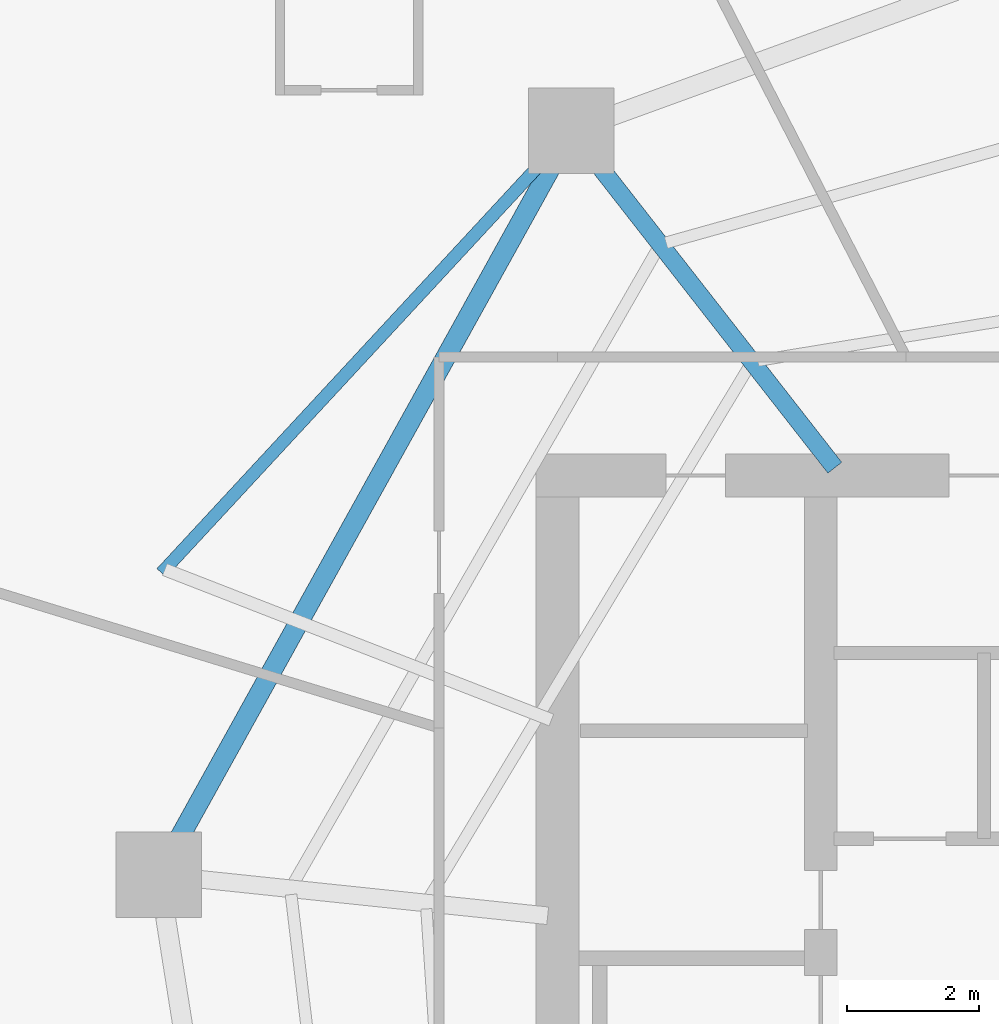
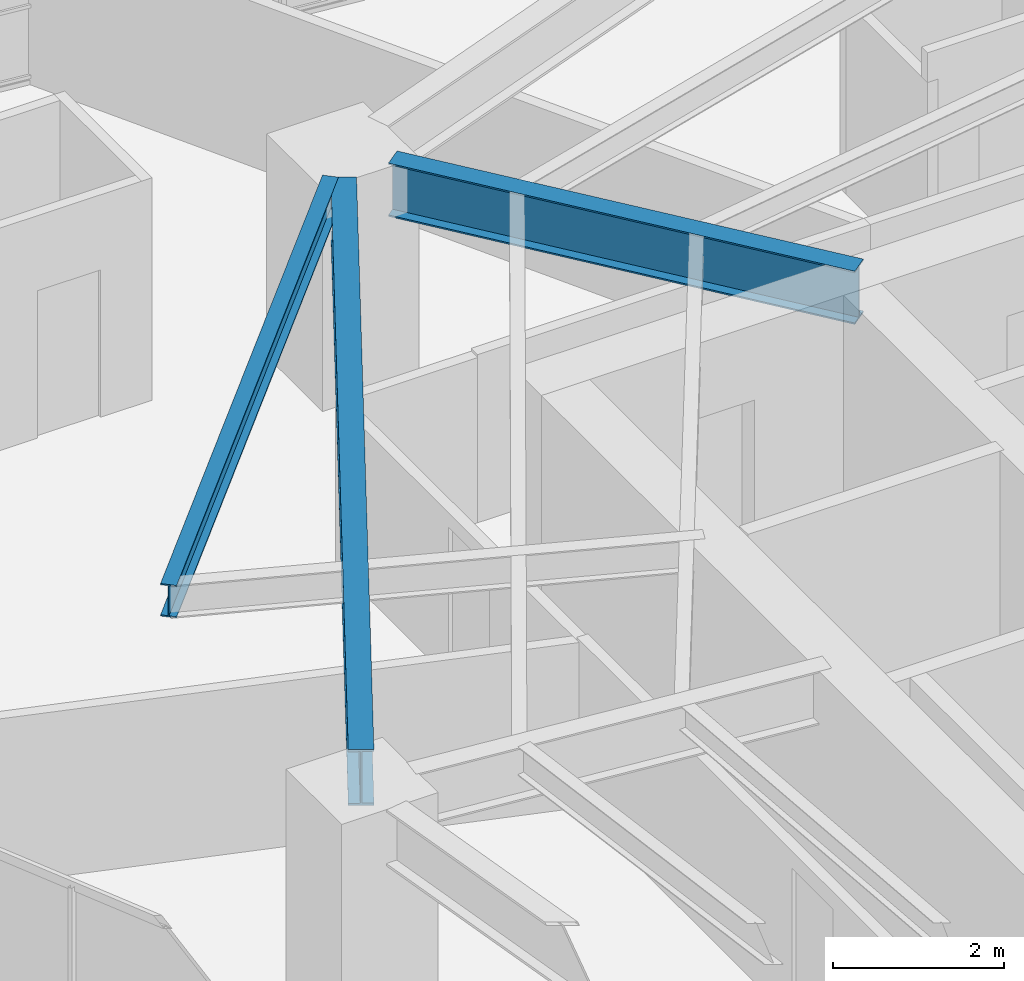
# One storey, part 15 of 28: 3 beams.
"""IFC4 building model written with IfcOpenShell, lengths in metres."""

from ifc_helpers import new_model, si_unit, direction, frame, origin, origin_2d, place, context, subcontext, project, spatial, i_section, extrude, material, material_profile, profile_set, type_object, element, save


model = new_model("IFC4")

# Units and contexts
model_context = context("Model", 3, precision=1e-05, world=origin(), true_north=direction((0.0, 1.0)))
body_context = subcontext(model_context, "Body", "Model", "MODEL_VIEW")
ifc_project = project(units=[si_unit("LENGTHUNIT", "METRE"), si_unit("AREAUNIT", "SQUARE_METRE"), si_unit("VOLUMEUNIT", "CUBIC_METRE"), si_unit("PLANEANGLEUNIT", "RADIAN"), si_unit("MASSUNIT", "GRAM", prefix="KILO")], contexts=[model_context])

# Site, building, storey
site_placement = place(None, origin())
site = spatial("IfcSite", under=ifc_project, at=site_placement, CompositionType="ELEMENT")
building_placement = place(site_placement, origin())
building = spatial("IfcBuilding", under=site, at=building_placement, Name="Qarnah Convention Tower", CompositionType="ELEMENT")
storey_placement = place(building_placement, frame((0.0, 0.0, 44.25)))
storey = spatial("IfcBuildingStorey", under=building, at=storey_placement, Name="L10", CompositionType="ELEMENT", Elevation=44.25)

# Beams
ifc_material = material(Name="Structural steel S355JR", Category="steel")
ifc_material_profile_1 = material_profile(ifc_material, i_section(OverallWidth=0.19189453125, OverallDepth=0.464111328125, WebThickness=0.010986328125, FlangeThickness=0.01806640625, at=origin_2d()), Name="W460X89")
ifc_profile_set_1 = profile_set([ifc_material_profile_1], Name="Structural steel S355JR")
beam_type_1 = type_object("IfcBeamType", Name="BM-CANT-W460A", PredefinedType="BEAM", material=ifc_profile_set_1)
beam_1_placement = place(storey_placement, frame((20.782958984375, 32.719970703125, 2.93798828125), z_axis=(0.679611332191, 0.733572380313, 0.0), x_axis=(-0.733572380313, 0.679611332191, 0.0)))
element("IfcBeam", 1, at=beam_1_placement, inside=storey, type_object=beam_type_1, Name="L10 spandrel BM-L10-CTIE-02", PredefinedType="SPANDREL", context=body_context, shape_type="SweptSolid", body=[
    extrude(i_section(OverallWidth=0.19189453125, OverallDepth=0.464111328125, WebThickness=0.010986328125, FlangeThickness=0.01806640625, at=origin_2d()), origin(), (0.0, 0.0, 1.0), 8.52392578125),
])
ifc_material_profile_2 = material_profile(ifc_material, i_section(OverallWidth=0.26806640625, OverallDepth=0.760009765625, WebThickness=0.014892578125, FlangeThickness=0.02197265625, at=origin_2d()), Name="W760X185")
ifc_profile_set_2 = profile_set([ifc_material_profile_2], Name="Structural steel S355JR")
beam_type_2 = type_object("IfcBeamType", Name="BM-RAD-W760", PredefinedType="BEAM", material=ifc_profile_set_2)
beam_2_placement = place(storey_placement, frame((31.013916015625, 34.318115234375, 2.7900390625), z_axis=(-0.61558272574, 0.78807227319, 0.0), x_axis=(-0.78807227319, -0.61558272574, 0.0)))
element("IfcBeam", 2, at=beam_2_placement, inside=storey, type_object=beam_type_2, Name="L10 beam BM-L10-RAD-04", PredefinedType="BEAM", context=body_context, shape_type="SweptSolid", body=[
    extrude(i_section(OverallWidth=0.26806640625, OverallDepth=0.760009765625, WebThickness=0.014892578125, FlangeThickness=0.02197265625, at=origin_2d()), origin(), (0.0, 0.0, 1.0), 5.87255859375),
])
ifc_material_profile_3 = material_profile(ifc_material, i_section(OverallWidth=0.300048828125, OverallDepth=0.800048828125, WebThickness=0.01806640625, FlangeThickness=0.032958984375, at=origin_2d()), Name="HEB800")
ifc_profile_set_3 = profile_set([ifc_material_profile_3], Name="Structural steel S355JR")
beam_type_3 = type_object("IfcBeamType", Name="BM-RING-HEB800", PredefinedType="BEAM", material=ifc_profile_set_3)
beam_3_placement = place(storey_placement, frame((26.700927734375, 38.882080078125, 2.77001953125), z_axis=(-0.484829813426, -0.874608513572, 0.0), x_axis=(0.874608513572, -0.484829813426, 0.0)))
element("IfcBeam", 3, at=beam_3_placement, inside=storey, type_object=beam_type_3, Name="L10 beam BM-L10-SPN-04", PredefinedType="BEAM", context=body_context, shape_type="SweptSolid", body=[
    extrude(i_section(OverallWidth=0.300048828125, OverallDepth=0.800048828125, WebThickness=0.01806640625, FlangeThickness=0.032958984375, at=origin_2d()), origin(), (0.0, 0.0, 1.0), 11.6533203125),
])

save(model, "model.ifc")
